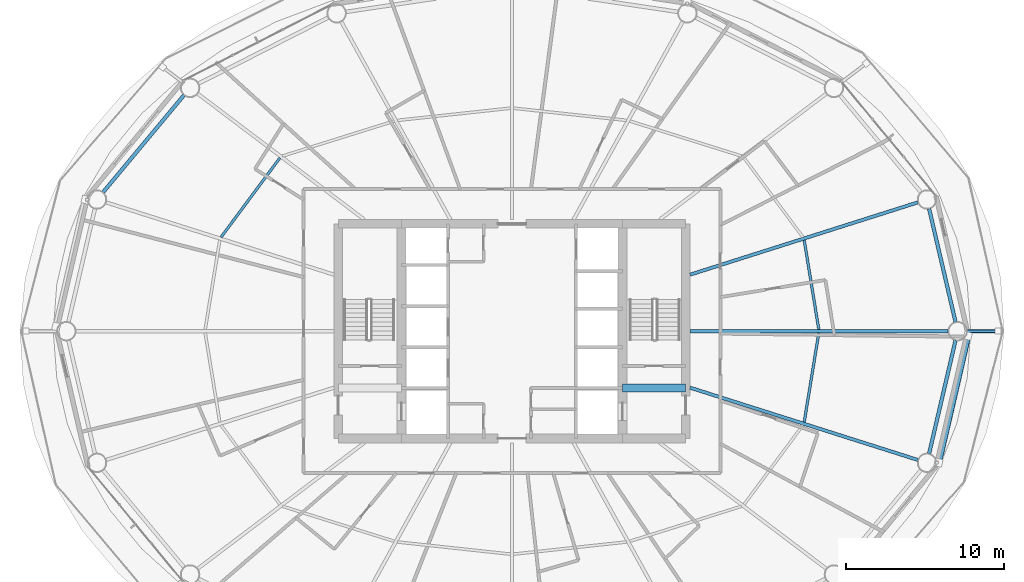
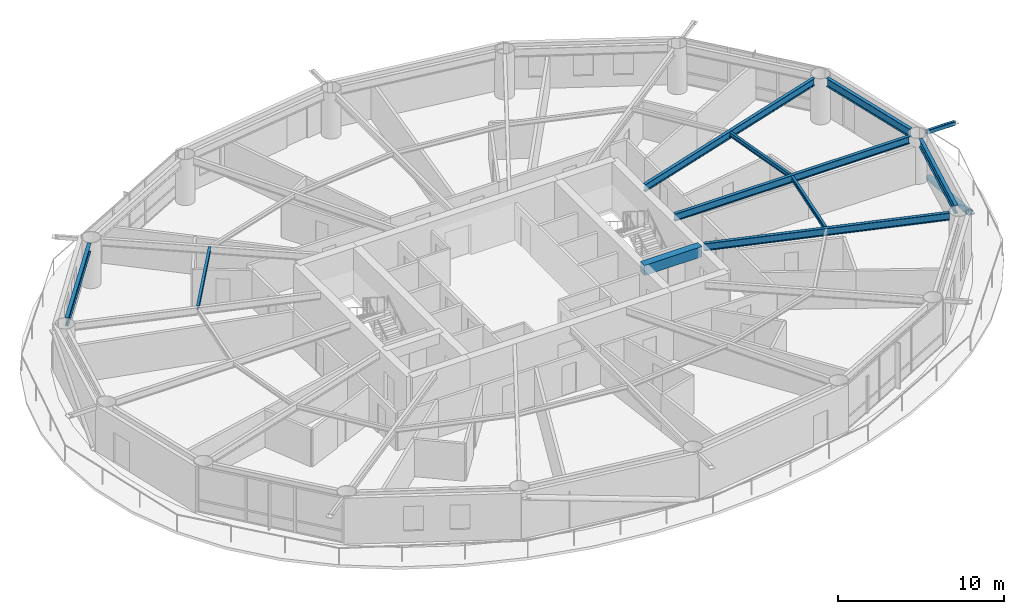
# One storey, part 7 of 24: 10 beams, 2 members.
"""IFC4 building model written with IfcOpenShell, lengths in metres."""

from ifc_helpers import new_model, si_unit, direction, frame, origin, origin_2d, place, context, subcontext, project, spatial, rectangle, hollow_rectangle, hollow_circle, i_section, extrude, material, material_profile, profile_set, type_object, element, save


model = new_model("IFC4")

# Units and contexts
model_context = context("Model", 3, precision=1e-05, world=origin(), true_north=direction((0.0, 1.0)))
body_context = subcontext(model_context, "Body", "Model", "MODEL_VIEW")
ifc_project = project(units=[si_unit("LENGTHUNIT", "METRE"), si_unit("AREAUNIT", "SQUARE_METRE"), si_unit("VOLUMEUNIT", "CUBIC_METRE"), si_unit("PLANEANGLEUNIT", "RADIAN"), si_unit("MASSUNIT", "GRAM", prefix="KILO")], contexts=[model_context])

# Site, building, storey
site_placement = place(None, origin())
site = spatial("IfcSite", under=ifc_project, at=site_placement, CompositionType="ELEMENT")
building_placement = place(site_placement, origin())
building = spatial("IfcBuilding", under=site, at=building_placement, Name="Sarneth Arch Tower", CompositionType="ELEMENT")
storey_placement = place(building_placement, frame((0.0, 0.0, 109.199951171875)))
storey = spatial("IfcBuildingStorey", under=building, at=storey_placement, Name="L27", CompositionType="ELEMENT", Elevation=109.199951171875)

# Beams
ifc_material_1 = material(Name="Steel S355", Category="steel")
ifc_material_profile_1 = material_profile(ifc_material_1, i_section(OverallWidth=0.1669921875, OverallDepth=0.31689453125, WebThickness=0.007568359375, FlangeThickness=0.01318359375, FilletRadius=0.012939453125, at=origin_2d()), Name="W310x52")
ifc_profile_set_1 = profile_set([ifc_material_profile_1], Name="Steel S355")
beam_type_1 = type_object("IfcBeamType", Name="BM-JOIST-310B", PredefinedType="JOIST", material=ifc_profile_set_1)
beam_1_placement = place(storey_placement, frame((67.438720703125, 42.10400390625, 3.221435546875), z_axis=(-0.16118181609, 0.986924729735, 0.0), x_axis=(-0.986924729735, -0.16118181609, 0.0)))
element("IfcBeam", 1, at=beam_1_placement, inside=storey, type_object=beam_type_1, Name="L27 Secondary floor joist 01", PredefinedType="JOIST", context=body_context, shape_type="SweptSolid", body=[
    extrude(i_section(OverallWidth=0.1669921875, OverallDepth=0.31689453125, WebThickness=0.007568359375, FlangeThickness=0.01318359375, FilletRadius=0.012939453125, at=origin_2d()), origin(), (0.0, 0.0, 1.0), 5.736083984375),
])
beam_2_placement = place(storey_placement, frame((33.296630859375, 52.9794921875, 3.221435546875), z_axis=(-0.596098474255, -0.802911333206, 0.0), x_axis=(0.802911333206, -0.596098474255, 0.0)))
element("IfcBeam", 2, at=beam_2_placement, inside=storey, type_object=beam_type_1, Name="L27 Secondary floor joist 07", PredefinedType="JOIST", context=body_context, shape_type="SweptSolid", body=[
    extrude(i_section(OverallWidth=0.1669921875, OverallDepth=0.31689453125, WebThickness=0.007568359375, FlangeThickness=0.01318359375, FilletRadius=0.012939453125, at=origin_2d()), origin(), (0.0, 0.0, 1.0), 6.259033203125),
])
beam_3_placement = place(storey_placement, frame((66.51416015625, 36.23486328125, 3.221435546875), z_axis=(0.16118181609, 0.986924729735, 0.0), x_axis=(-0.986924729735, 0.16118181609, 0.0)))
element("IfcBeam", 3, at=beam_3_placement, inside=storey, type_object=beam_type_1, Name="L27 Secondary floor joist 16", PredefinedType="JOIST", context=body_context, shape_type="SweptSolid", body=[
    extrude(i_section(OverallWidth=0.1669921875, OverallDepth=0.31689453125, WebThickness=0.007568359375, FlangeThickness=0.01318359375, FilletRadius=0.012939453125, at=origin_2d()), origin(), (0.0, 0.0, 1.0), 5.736083984375),
])
ifc_material_2 = material(Name="Concrete C50/60", Category="concrete")
ifc_material_profile_2 = material_profile(ifc_material_2, rectangle(XDim=0.5, YDim=0.75, at=origin_2d()), Name="RC-500x750")
ifc_profile_set_2 = profile_set([ifc_material_profile_2], Name="Concrete C50/60")
beam_type_2 = type_object("IfcBeamType", Name="BM-LINTEL-RC", PredefinedType="LINTEL", material=ifc_profile_set_2)
beam_4_placement = place(storey_placement, frame((55.0, 38.39990234375, 3.005126953125), z_axis=(1.0, 0.0, 0.0), x_axis=(0.0, 1.0, 0.0)))
element("IfcBeam", 4, at=beam_4_placement, inside=storey, type_object=beam_type_2, Name="L27 Core coupling lintel E", PredefinedType="LINTEL", context=body_context, shape_type="SweptSolid", body=[
    extrude(rectangle(XDim=0.5, YDim=0.75, at=origin_2d()), origin(), (0.0, 0.0, 1.0), 4.0),
])
ifc_material_3 = material(Name="Steel S355", Category="steel")
ifc_material_profile_3 = material_profile(ifc_material_3, i_section(OverallWidth=0.2109375, OverallDepth=0.5390625, WebThickness=0.01171875, FlangeThickness=0.018798828125, FilletRadius=0.01806640625, at=origin_2d()), Name="W530x109")
ifc_profile_set_3 = profile_set([ifc_material_profile_3], Name="Steel S355")
beam_type_3 = type_object("IfcBeamType", Name="BM-RAD-530B", PredefinedType="BEAM", material=ifc_profile_set_3)
beam_5_placement = place(storey_placement, frame((59.27490234375, 42.0, 3.110595703125), z_axis=(1.0, 0.0, 0.0), x_axis=(0.0, 1.0, 0.0)))
element("IfcBeam", 5, at=beam_5_placement, inside=storey, type_object=beam_type_3, Name="L27 Radial floor girder 01", PredefinedType="BEAM", context=body_context, shape_type="SweptSolid", body=[
    extrude(i_section(OverallWidth=0.2109375, OverallDepth=0.5390625, WebThickness=0.01171875, FlangeThickness=0.018798828125, FilletRadius=0.01806640625, at=origin_2d()), origin(), (0.0, 0.0, 1.0), 16.36181640625),
])
for number, where, z_axis, x_axis, name in (
    (6, (59.27490234375, 45.57763671875, 3.110595703125), (0.953162461637, 0.302458793435, 0.0), (-0.302458793435, 0.953162461637, 0.0), "L27 Radial floor girder 02"),
    (7, (59.27490234375, 38.42236328125, 3.110595703125), (0.953162461637, -0.302458793435, 0.0), (0.302458793435, 0.953162461637, 0.0), "L27 Radial floor girder 16"),
):
    element("IfcBeam", number, at=place(storey_placement, frame(where, z_axis=z_axis, x_axis=x_axis)), inside=storey, type_object=beam_type_3, Name=name, PredefinedType="BEAM", context=body_context, shape_type="SweptSolid", body=[
        extrude(i_section(OverallWidth=0.2109375, OverallDepth=0.5390625, WebThickness=0.01171875, FlangeThickness=0.018798828125, FilletRadius=0.01806640625, at=origin_2d()), origin(), (0.0, 0.0, 1.0), 15.154052734375),
    ])
ifc_material_4 = material(Name="Steel S355", Category="steel")
ifc_material_profile_4 = material_profile(ifc_material_4, i_section(OverallWidth=0.22900390625, OverallDepth=0.612060546875, WebThickness=0.011962890625, FlangeThickness=0.01953125, FilletRadius=0.01904296875, at=origin_2d()), Name="W610x125")
ifc_profile_set_4 = profile_set([ifc_material_profile_4], Name="Steel S355")
beam_type_4 = type_object("IfcBeamType", Name="BM-SPAN-610C", PredefinedType="SPANDREL", material=ifc_profile_set_4)
beam_6_placement = place(storey_placement, frame((76.100341796875, 42.584228515625, 3.073974609375), z_axis=(-0.227088175252, 0.973874201661, 0.0), x_axis=(-0.973874201661, -0.227088175252, 0.0)))
element("IfcBeam", 8, at=beam_6_placement, inside=storey, type_object=beam_type_4, Name="L27 Perimeter spandrel beam 01", PredefinedType="SPANDREL", context=body_context, shape_type="SweptSolid", body=[
    extrude(i_section(OverallWidth=0.22900390625, OverallDepth=0.612060546875, WebThickness=0.011962890625, FlangeThickness=0.01953125, FilletRadius=0.01904296875, at=origin_2d()), origin(), (0.0, 0.0, 1.0), 7.366455078125),
])
beam_7_placement = place(storey_placement, frame((27.21826171875, 56.9541015625, 3.073974609375), z_axis=(-0.640163403463, -0.768238775946, 0.0), x_axis=(0.768238775946, -0.640163403463, 0.0)))
element("IfcBeam", 9, at=beam_7_placement, inside=storey, type_object=beam_type_4, Name="L27 Perimeter spandrel beam 07", PredefinedType="SPANDREL", context=body_context, shape_type="SweptSolid", body=[
    extrude(i_section(OverallWidth=0.22900390625, OverallDepth=0.612060546875, WebThickness=0.011962890625, FlangeThickness=0.01953125, FilletRadius=0.01904296875, at=origin_2d()), origin(), (0.0, 0.0, 1.0), 8.006103515625),
])
beam_8_placement = place(storey_placement, frame((74.427490234375, 34.24169921875, 3.073974609375), z_axis=(0.227088175252, 0.973874201661, 0.0), x_axis=(-0.973874201661, 0.227088175252, 0.0)))
element("IfcBeam", 10, at=beam_8_placement, inside=storey, type_object=beam_type_4, Name="L27 Perimeter spandrel beam 16", PredefinedType="SPANDREL", context=body_context, shape_type="SweptSolid", body=[
    extrude(i_section(OverallWidth=0.22900390625, OverallDepth=0.612060546875, WebThickness=0.011962890625, FlangeThickness=0.01953125, FilletRadius=0.01904296875, at=origin_2d()), origin(), (0.0, 0.0, 1.0), 7.366455078125),
])

# Members
ifc_material_5 = material(Name="Steel S355", Category="steel")
ifc_material_profile_5 = material_profile(ifc_material_5, hollow_rectangle(XDim=0.199951171875, YDim=0.300048828125, WallThickness=0.012451171875, InnerFilletRadius=0.018798828125, OuterFilletRadius=0.03125, at=origin_2d()), Name="RHS300x200x12.5")
ifc_profile_set_5 = profile_set([ifc_material_profile_5], Name="Steel S355")
member_type_1 = type_object("IfcMemberType", Name="MEM-CANT-STRUT", PredefinedType="STRUT", material=ifc_profile_set_5)
member_1_placement = place(storey_placement, frame((76.836669921875, 42.0, 3.219970703125), z_axis=(1.0, 0.0, 0.0), x_axis=(0.0, 1.0, 0.0)))
element("IfcMember", 11, at=member_1_placement, inside=storey, type_object=member_type_1, Name="L27 Balcony cantilever bracket 01", PredefinedType="STRUT", context=body_context, shape_type="SweptSolid", body=[
    extrude(hollow_rectangle(XDim=0.199951171875, YDim=0.300048828125, WallThickness=0.012451171875, InnerFilletRadius=0.018798828125, OuterFilletRadius=0.03125, at=origin_2d()), origin(), (0.0, 0.0, 1.0), 1.966064453125),
])
ifc_material_6 = material(Name="Steel S355", Category="steel")
ifc_material_profile_6 = material_profile(ifc_material_6, hollow_circle(Radius=0.202880859375, WallThickness=0.01611328125, at=origin_2d()), Name="CHS406x16")
ifc_profile_set_6 = profile_set([ifc_material_profile_6], Name="Steel S355")
member_type_2 = type_object("IfcMemberType", Name="MEM-DIAG-BR2", PredefinedType="BRACE", material=ifc_profile_set_6)
member_2_placement = place(storey_placement, frame((76.878662109375, 41.707763671875, 0.02001953125), z_axis=(-0.211849757262, -0.915864196825, 0.341046116123), x_axis=(0.974275349464, -0.225360918143, 0.0)))
element("IfcMember", 12, at=member_2_placement, inside=storey, type_object=member_type_2, Name="L27 Perimeter frame diagonal 16", PredefinedType="BRACE", context=body_context, shape_type="SweptSolid", body=[
    extrude(hollow_circle(Radius=0.202880859375, WallThickness=0.01611328125, at=origin_2d()), origin(), (0.0, 0.0, 1.0), 8.775634765625),
])

save(model, "model.ifc")
